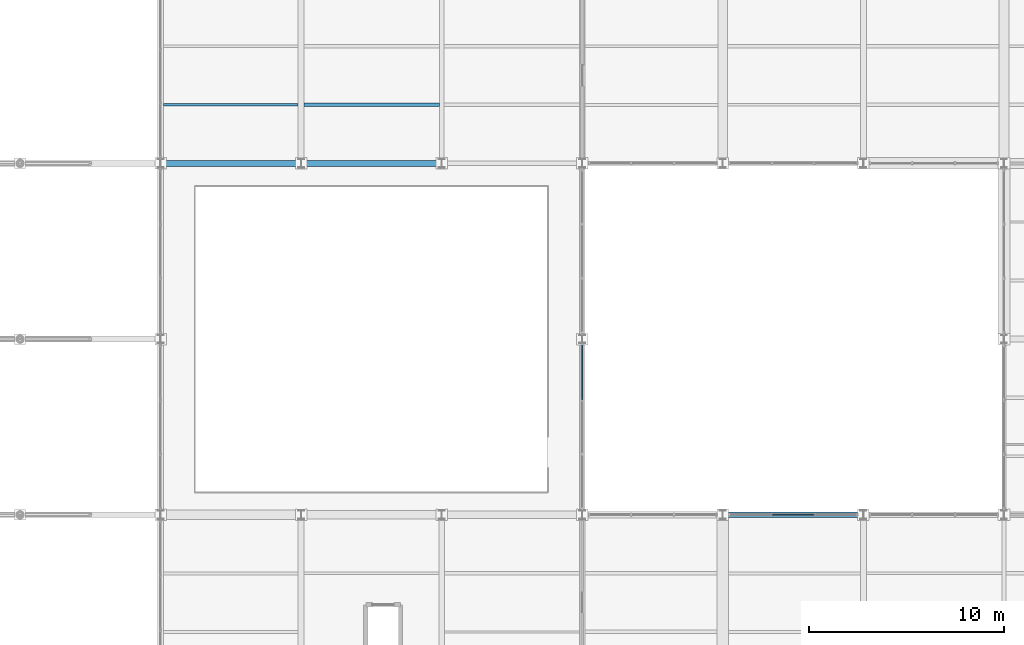
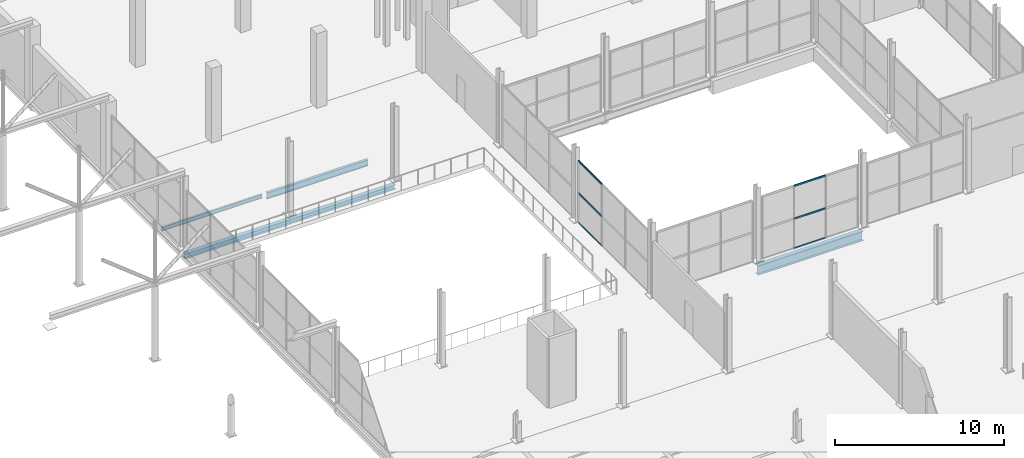
# One storey, part 46 of 147: 6 members, 5 beams, 2 elements without a shape of their own.
"""IFC4 building model written with IfcOpenShell, lengths in metres."""

from ifc_helpers import new_model, si_unit, direction, frame, origin, origin_2d, place, context, subcontext, project, spatial, hollow_rectangle, i_section, extrude, material, layer, layer_set, material_profile, profile_set, type_object, element, aggregate, save


model = new_model("IFC4")

# Units and contexts
model_context = context("Model", 3, precision=1e-05, world=origin(), true_north=direction((0.0, 1.0)))
body_context = subcontext(model_context, "Body", "Model", "MODEL_VIEW")
ifc_project = project(units=[si_unit("LENGTHUNIT", "METRE"), si_unit("AREAUNIT", "SQUARE_METRE"), si_unit("VOLUMEUNIT", "CUBIC_METRE"), si_unit("PLANEANGLEUNIT", "RADIAN"), si_unit("MASSUNIT", "GRAM", prefix="KILO")], contexts=[model_context])

# Site, building, storey
site_placement = place(None, origin())
site = spatial("IfcSite", under=ifc_project, at=site_placement, CompositionType="ELEMENT")
building_placement = place(site_placement, origin())
building = spatial("IfcBuilding", under=site, at=building_placement, Name="Sundgate Opera House", CompositionType="ELEMENT")
storey_placement = place(building_placement, frame((0.0, 0.0, 6.0)))
storey = spatial("IfcBuildingStorey", under=building, at=storey_placement, Name="L01", CompositionType="ELEMENT", Elevation=6.0)

# Beams
ifc_material_1 = material(Name="Steel S355J2", Category="steel")
ifc_material_profile_1 = material_profile(ifc_material_1, i_section(OverallWidth=0.300048828125, OverallDepth=0.330078125, WebThickness=0.009521484375, FlangeThickness=0.0166015625, at=origin_2d()), Name="HEA 340")
ifc_profile_set_1 = profile_set([ifc_material_profile_1], Name="Steel S355J2")
beam_type_1 = type_object("IfcBeamType", Name="BM-GR-HEA340", PredefinedType="BEAM", material=ifc_profile_set_1)
beam_1_placement = place(storey_placement, frame((102.60009765625, 60.0, -0.465087890625), z_axis=(1.0, 0.0, 0.0), x_axis=(0.0, 1.0, 0.0)))
element("IfcBeam", 1, at=beam_1_placement, inside=storey, type_object=beam_type_1, Name="L01 Primary E-W Girder B1349", PredefinedType="BEAM", context=body_context, shape_type="SweptSolid", body=[
    extrude(i_section(OverallWidth=0.300048828125, OverallDepth=0.330078125, WebThickness=0.009521484375, FlangeThickness=0.0166015625, at=origin_2d()), origin(), (0.0, 0.0, 1.0), 7.199951171875),
])
ifc_material_2 = material(Name="Steel S355J2", Category="steel")
ifc_material_profile_2 = material_profile(ifc_material_2, i_section(OverallWidth=0.300048828125, OverallDepth=0.35009765625, WebThickness=0.010009765625, FlangeThickness=0.017578125, at=origin_2d()), Name="HEA 360")
ifc_profile_set_2 = profile_set([ifc_material_profile_2], Name="Steel S355J2")
beam_type_2 = type_object("IfcBeamType", Name="BM-GR-HEA360", PredefinedType="BEAM", material=ifc_profile_set_2)
beam_2_placement = place(storey_placement, frame((95.39990234375, 60.0, -0.47509765625), z_axis=(1.0, 0.0, 0.0), x_axis=(0.0, 1.0, 0.0)))
element("IfcBeam", 2, at=beam_2_placement, inside=storey, type_object=beam_type_2, Name="L01 Primary E-W Girder B1348", PredefinedType="BEAM", context=body_context, shape_type="SweptSolid", body=[
    extrude(i_section(OverallWidth=0.300048828125, OverallDepth=0.35009765625, WebThickness=0.010009765625, FlangeThickness=0.017578125, at=origin_2d()), origin(), (0.0, 0.0, 1.0), 7.2001953125),
])
ifc_material_3 = material(Name="Steel S355J2", Category="steel")
ifc_material_profile_3 = material_profile(ifc_material_3, i_section(OverallWidth=0.300048828125, OverallDepth=0.699951171875, WebThickness=0.01708984375, FlangeThickness=0.031982421875, at=origin_2d()), Name="HEB 700")
ifc_profile_set_3 = profile_set([ifc_material_profile_3], Name="Steel S355J2")
beam_type_3 = type_object("IfcBeamType", Name="BM-GR-HEB700", PredefinedType="BEAM", material=ifc_profile_set_3)
beam_3_placement = place(storey_placement, frame((124.199951171875, 42.0, -0.64990234375), z_axis=(1.0, 0.0, 0.0), x_axis=(0.0, 1.0, 0.0)))
element("IfcBeam", 3, at=beam_3_placement, inside=storey, type_object=beam_type_3, Name="L01 Primary E-W Girder B1336", PredefinedType="BEAM", context=body_context, shape_type="SweptSolid", body=[
    extrude(i_section(OverallWidth=0.300048828125, OverallDepth=0.699951171875, WebThickness=0.01708984375, FlangeThickness=0.031982421875, at=origin_2d()), origin(), (0.0, 0.0, 1.0), 7.199951171875),
])
ifc_material_4 = material(Name="Steel S355J2", Category="steel")
ifc_material_profile_4 = material_profile(ifc_material_4, i_section(OverallWidth=0.135009765625, OverallDepth=0.27001953125, WebThickness=0.006591796875, FlangeThickness=0.01025390625, at=origin_2d()), Name="IPE 270")
ifc_profile_set_4 = profile_set([ifc_material_profile_4], Name="Steel S355J2")
beam_type_4 = type_object("IfcBeamType", Name="BM-JS-IPE270", PredefinedType="JOIST", material=ifc_profile_set_4)
beam_4_placement = place(storey_placement, frame((95.550048828125, 63.0, -0.43505859375), z_axis=(1.0, 0.0, 0.0), x_axis=(0.0, 1.0, 0.0)))
element("IfcBeam", 4, at=beam_4_placement, inside=storey, type_object=beam_type_4, Name="L01 Secondary Floor Joist B1594", PredefinedType="JOIST", context=body_context, shape_type="SweptSolid", body=[
    extrude(i_section(OverallWidth=0.135009765625, OverallDepth=0.27001953125, WebThickness=0.006591796875, FlangeThickness=0.01025390625, at=origin_2d()), origin(), (0.0, 0.0, 1.0), 6.89990234375),
])
ifc_material_5 = material(Name="Steel S355J2", Category="steel")
ifc_material_profile_5 = material_profile(ifc_material_5, i_section(OverallWidth=0.18994140625, OverallDepth=0.449951171875, WebThickness=0.009521484375, FlangeThickness=0.0146484375, at=origin_2d()), Name="IPE 450")
ifc_profile_set_5 = profile_set([ifc_material_profile_5], Name="Steel S355J2")
beam_type_5 = type_object("IfcBeamType", Name="BM-JS-IPE450", PredefinedType="JOIST", material=ifc_profile_set_5)
beam_5_placement = place(storey_placement, frame((102.75, 63.0, -0.52490234375), z_axis=(1.0, 0.0, 0.0), x_axis=(0.0, 1.0, 0.0)))
element("IfcBeam", 5, at=beam_5_placement, inside=storey, type_object=beam_type_5, Name="L01 Secondary Floor Joist B1596", PredefinedType="JOIST", context=body_context, shape_type="SweptSolid", body=[
    extrude(i_section(OverallWidth=0.18994140625, OverallDepth=0.449951171875, WebThickness=0.009521484375, FlangeThickness=0.0146484375, at=origin_2d()), origin(), (0.0, 0.0, 1.0), 6.93994140625),
])

# Curtain wall, members
ifc_material_6 = material(Name="Anodized aluminium and low-iron glass", Category="aluminium")
ifc_layer = layer(ifc_material_6, 0.159912109375)
ifc_layer_set = layer_set([ifc_layer], Name="Anodized aluminium and low-iron glass")
curtain_wall_type = type_object("IfcCurtainWallType", Name="CW-STUDIO-DARK", PredefinedType="NOTDEFINED", material=ifc_layer_set)
curtain_wall_1_placement = place(storey_placement, origin())
curtain_wall_1 = element("IfcCurtainWall", 6, at=curtain_wall_1_placement, inside=storey, type_object=curtain_wall_type, Name="L01 Curtain Wall CW054", PredefinedType="NOTDEFINED")
ifc_material_7 = material(Name="Anodized aluminium EN AW-6063", Category="aluminium")
ifc_material_profile_6 = material_profile(ifc_material_7, hollow_rectangle(XDim=0.054931640625, YDim=0.1201171875, WallThickness=0.00390625, at=origin_2d()), Name="CWT 120x55x4")
ifc_profile_set_6 = profile_set([ifc_material_profile_6], Name="Anodized aluminium EN AW-6063")
member_type = type_object("IfcMemberType", Name="CWT-ALU-120x55", PredefinedType="USERDEFINED", material=ifc_profile_set_6)
member_1_placement = place(storey_placement, frame((126.708251953125, 42.0, 0.0), z_axis=(1.0, 0.0, 0.0), x_axis=(0.0, 1.0, 0.0)))
member_1 = element("IfcMember", 7, at=member_1_placement, type_object=member_type, Name="CW054 Transom 4", ObjectType="TRANSOM", PredefinedType="USERDEFINED", context=body_context, shape_type="SweptSolid", body=[
    extrude(hollow_rectangle(XDim=0.054931640625, YDim=0.1201171875, WallThickness=0.00390625, at=origin_2d()), origin(), (0.0, 0.0, 1.0), 2.183349609375),
])
member_2_placement = place(storey_placement, frame((126.708251953125, 42.0, 2.14990234375), z_axis=(1.0, 0.0, 0.0), x_axis=(0.0, 1.0, 0.0)))
member_2 = element("IfcMember", 8, at=member_2_placement, type_object=member_type, Name="CW054 Transom 5", ObjectType="TRANSOM", PredefinedType="USERDEFINED", context=body_context, shape_type="SweptSolid", body=[
    extrude(hollow_rectangle(XDim=0.054931640625, YDim=0.1201171875, WallThickness=0.00390625, at=origin_2d()), origin(), (0.0, 0.0, 1.0), 2.183349609375),
])
member_3_placement = place(storey_placement, frame((126.708251953125, 42.0, 4.514892578125), z_axis=(1.0, 0.0, 0.0), x_axis=(0.0, 1.0, 0.0)))
member_3 = element("IfcMember", 9, at=member_3_placement, type_object=member_type, Name="CW054 Transom 6", ObjectType="TRANSOM", PredefinedType="USERDEFINED", context=body_context, shape_type="SweptSolid", body=[
    extrude(hollow_rectangle(XDim=0.054931640625, YDim=0.1201171875, WallThickness=0.00390625, at=origin_2d()), origin(), (0.0, 0.0, 1.0), 2.183349609375),
])
aggregate(curtain_wall_1, [member_1, member_2, member_3])

curtain_wall_2_placement = place(storey_placement, origin())
curtain_wall_2 = element("IfcCurtainWall", 10, at=curtain_wall_2_placement, inside=storey, type_object=curtain_wall_type, Name="L01 Curtain Wall CW058", PredefinedType="NOTDEFINED")
member_4_placement = place(storey_placement, frame((117.0, 47.8916015625, 0.0), z_axis=(0.0, 1.0, 0.0), x_axis=(-1.0, 0.0, 0.0)))
member_4 = element("IfcMember", 11, at=member_4_placement, type_object=member_type, Name="CW058 Transom 7", ObjectType="TRANSOM", PredefinedType="USERDEFINED", context=body_context, shape_type="SweptSolid", body=[
    extrude(hollow_rectangle(XDim=0.054931640625, YDim=0.1201171875, WallThickness=0.00390625, at=origin_2d()), origin(), (0.0, 0.0, 1.0), 2.783447265625),
])
member_5_placement = place(storey_placement, frame((117.0, 47.8916015625, 2.14990234375), z_axis=(0.0, 1.0, 0.0), x_axis=(-1.0, 0.0, 0.0)))
member_5 = element("IfcMember", 12, at=member_5_placement, type_object=member_type, Name="CW058 Transom 8", ObjectType="TRANSOM", PredefinedType="USERDEFINED", context=body_context, shape_type="SweptSolid", body=[
    extrude(hollow_rectangle(XDim=0.054931640625, YDim=0.1201171875, WallThickness=0.00390625, at=origin_2d()), origin(), (0.0, 0.0, 1.0), 2.783447265625),
])
member_6_placement = place(storey_placement, frame((117.0, 47.8916015625, 4.465087890625), z_axis=(0.0, 1.0, 0.0), x_axis=(-1.0, 0.0, 0.0)))
member_6 = element("IfcMember", 13, at=member_6_placement, type_object=member_type, Name="CW058 Transom 9", ObjectType="TRANSOM", PredefinedType="USERDEFINED", context=body_context, shape_type="SweptSolid", body=[
    extrude(hollow_rectangle(XDim=0.054931640625, YDim=0.1201171875, WallThickness=0.00390625, at=origin_2d()), origin(), (0.0, 0.0, 1.0), 2.783447265625),
])
aggregate(curtain_wall_2, [member_4, member_5, member_6])

save(model, "model.ifc")
